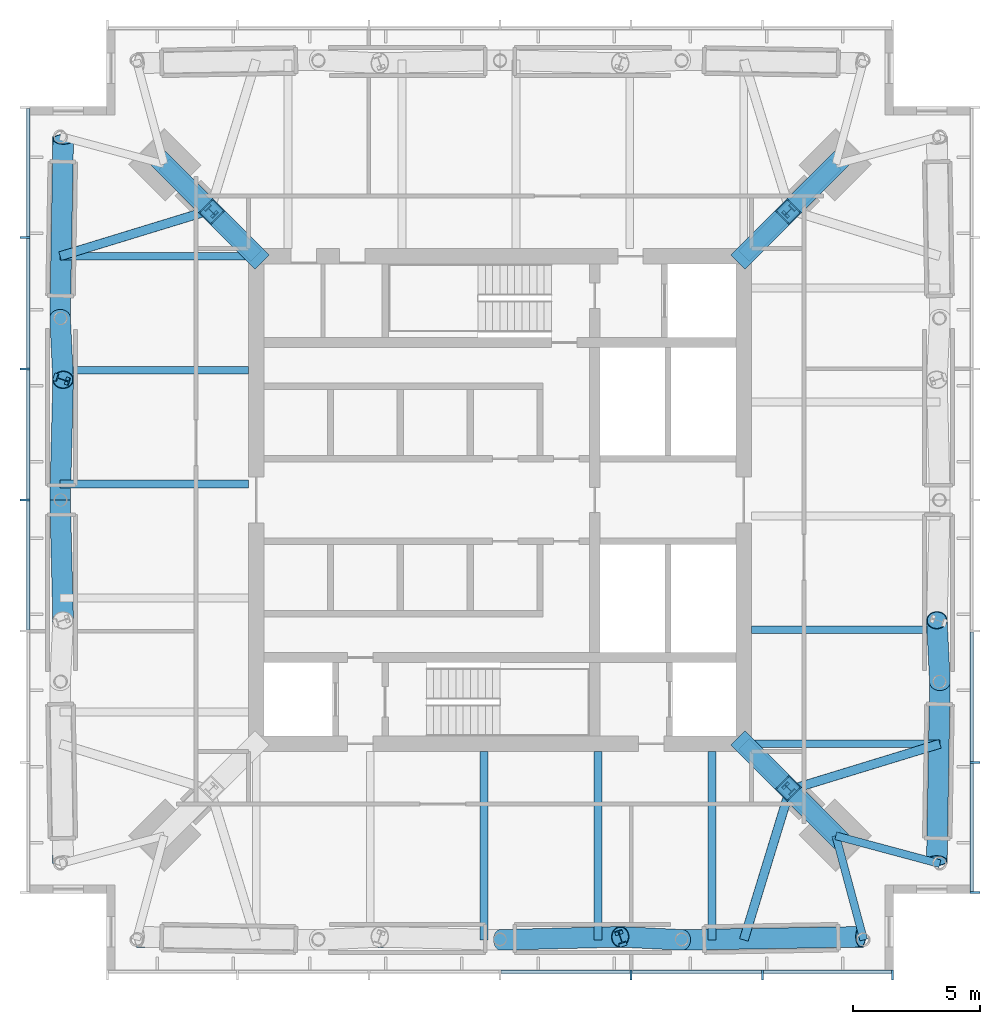
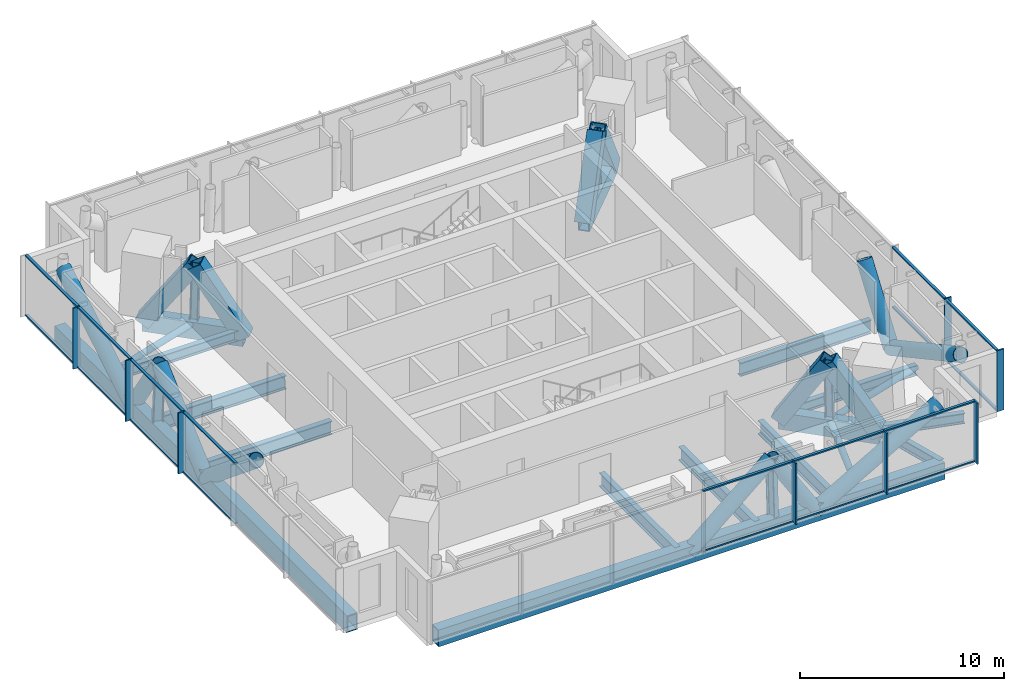
# One storey, part 2 of 8: 54 members, 10 beams, 3 elements without a shape of their own.
"""IFC4 building model written with IfcOpenShell, lengths in metres."""

from ifc_helpers import new_model, si_unit, direction, frame, origin, origin_2d, place, context, subcontext, project, spatial, rectangle, hollow_rectangle, hollow_circle, i_section, extrude, material, material_profile, profile_set, type_object, element, aggregate, save


model = new_model("IFC4")

# Units and contexts
model_context = context("Model", 3, precision=1e-05, world=origin(), true_north=direction((0.0, 1.0)))
body_context = subcontext(model_context, "Body", "Model", "MODEL_VIEW")
ifc_project = project(units=[si_unit("LENGTHUNIT", "METRE"), si_unit("AREAUNIT", "SQUARE_METRE"), si_unit("VOLUMEUNIT", "CUBIC_METRE"), si_unit("PLANEANGLEUNIT", "RADIAN"), si_unit("MASSUNIT", "GRAM", prefix="KILO")], contexts=[model_context])

# Site, building, storey
site_placement = place(None, origin())
site = spatial("IfcSite", under=ifc_project, at=site_placement, CompositionType="ELEMENT")
building_placement = place(site_placement, origin())
building = spatial("IfcBuilding", under=site, at=building_placement, Name="Ostroluk Exchange", CompositionType="ELEMENT")
storey_placement = place(building_placement, frame((0.0, 0.0, 230.0)))
storey = spatial("IfcBuildingStorey", under=building, at=storey_placement, Name="L59", CompositionType="ELEMENT", Elevation=230.0)

# Members
ifc_material_1 = material(Name="Steel S460", Category="steel")
ifc_material_profile_1 = material_profile(ifc_material_1, hollow_rectangle(XDim=0.60009765625, YDim=1.0, WallThickness=0.06005859375, at=origin_2d()), Name="BOX 600x1000x60")
ifc_profile_set_1 = profile_set([ifc_material_profile_1], Name="Steel S460")
member_type_1 = type_object("IfcMemberType", Name="Belt truss chord BOX 600x1000x60", PredefinedType="CHORD", material=ifc_profile_set_1)
for number, where, z_axis, x_axis, name in (
    (1, (27.678466796875, 60.321533203125, -0.780029296875), (0.0, -1.0, 0.0), (1.0, 0.0, 0.0), "Belt truss 3 west chord 2"),
    (2, (30.678466796875, 28.678466796875, -0.780029296875), (1.0, 0.0, 0.0), (0.0, 1.0, 0.0), "Belt truss 3 south chord 2"),
):
    element("IfcMember", number, at=place(storey_placement, frame(where, z_axis=z_axis, x_axis=x_axis)), inside=storey, type_object=member_type_1, Name=name, PredefinedType="CHORD", context=body_context, shape_type="SweptSolid", body=[
        extrude(hollow_rectangle(XDim=0.60009765625, YDim=1.0, WallThickness=0.06005859375, at=origin_2d()), origin(), (0.0, 0.0, 1.0), 28.64306640625),
    ])
ifc_material_2 = material(Name="Steel S460", Category="steel")
ifc_material_profile_2 = material_profile(ifc_material_2, hollow_circle(Radius=0.406494140625, WallThickness=0.030029296875, at=origin_2d()), Name="CHS 813x30")
ifc_profile_set_2 = profile_set([ifc_material_profile_2], Name="Steel S460")
member_type_2 = type_object("IfcMemberType", Name="Belt truss diagonal CHS 813x30", PredefinedType="BRACE", material=ifc_profile_set_2)
member_1_placement = place(storey_placement, frame((62.321533203125, 38.83935546875, -0.780029296875), z_axis=(-0.015124435681, -0.875668381529, 0.482676016635), x_axis=(0.999850874514, -0.017269300299, 0.0)))
element("IfcMember", 3, at=member_1_placement, inside=storey, type_object=member_type_2, Name="Belt truss 3 east diagonal 2.1", PredefinedType="BRACE", context=body_context, shape_type="SweptSolid", body=[
    extrude(hollow_circle(Radius=0.406494140625, WallThickness=0.030029296875, at=origin_2d()), origin(), (0.0, 0.0, 1.0), 8.038818359375),
])
member_2_placement = place(storey_placement, frame((62.321533203125, 38.83935546875, -0.780029296875), z_axis=(-0.026555607306, 0.530152304888, 0.84748647974), x_axis=(-0.998747825495, -0.050027802967, 0.0)))
element("IfcMember", 4, at=member_2_placement, inside=storey, type_object=member_type_2, Name="Belt truss 3 east diagonal 2.2", PredefinedType="BRACE", context=body_context, shape_type="SweptSolid", body=[
    extrude(hollow_circle(Radius=0.406494140625, WallThickness=0.030029296875, at=origin_2d()), origin(), (0.0, 0.0, 1.0), 4.578369140625),
])
member_3_placement = place(storey_placement, frame((27.678466796875, 53.16064453125, -0.780029296875), z_axis=(0.015124435681, 0.875668381529, 0.482676016635), x_axis=(-0.999850874514, 0.017269300299, 0.0)))
element("IfcMember", 5, at=member_3_placement, inside=storey, type_object=member_type_2, Name="Belt truss 3 west diagonal 2.1", PredefinedType="BRACE", context=body_context, shape_type="SweptSolid", body=[
    extrude(hollow_circle(Radius=0.406494140625, WallThickness=0.030029296875, at=origin_2d()), origin(), (0.0, 0.0, 1.0), 8.038818359375),
])
member_4_placement = place(storey_placement, frame((27.678466796875, 53.16064453125, -0.780029296875), z_axis=(0.026555607306, -0.530152304888, 0.84748647974), x_axis=(0.998747825495, 0.050027802967, 0.0)))
element("IfcMember", 6, at=member_4_placement, inside=storey, type_object=member_type_2, Name="Belt truss 3 west diagonal 2.2", PredefinedType="BRACE", context=body_context, shape_type="SweptSolid", body=[
    extrude(hollow_circle(Radius=0.406494140625, WallThickness=0.030029296875, at=origin_2d()), origin(), (0.0, 0.0, 1.0), 4.578369140625),
])
for number, where, z_axis, x_axis, name in (
    (7, (27.678466796875, 46.0, -0.780029296875), (0.01986082351, 0.773216157061, 0.633831461944), (-0.999670278071, 0.0256775221, 0.0), "Belt truss 3 west diagonal 2.3"),
    (8, (27.678466796875, 46.0, -0.780029296875), (0.01986082351, -0.773216157061, 0.633831461944), (0.999670278071, 0.0256775221, 0.0), "Belt truss 3 west diagonal 2.4"),
    (9, (45.0, 28.678466796875, -0.780029296875), (0.773216157061, 0.01986082351, 0.633831461944), (-0.0256775221, 0.999670278071, 0.0), "Belt truss 3 south diagonal 2.4"),
):
    element("IfcMember", number, at=place(storey_placement, frame(where, z_axis=z_axis, x_axis=x_axis)), inside=storey, type_object=member_type_2, Name=name, PredefinedType="BRACE", context=body_context, shape_type="SweptSolid", body=[
        extrude(hollow_circle(Radius=0.406494140625, WallThickness=0.030029296875, at=origin_2d()), origin(), (0.0, 0.0, 1.0), 6.12158203125),
    ])
member_5_placement = place(storey_placement, frame((52.16064453125, 28.678466796875, -0.780029296875), z_axis=(-0.530152304888, 0.026555607306, 0.84748647974), x_axis=(-0.050027802967, -0.998747825495, 0.0)))
element("IfcMember", 10, at=member_5_placement, inside=storey, type_object=member_type_2, Name="Belt truss 3 south diagonal 2.5", PredefinedType="BRACE", context=body_context, shape_type="SweptSolid", body=[
    extrude(hollow_circle(Radius=0.406494140625, WallThickness=0.030029296875, at=origin_2d()), origin(), (0.0, 0.0, 1.0), 4.578369140625),
])
member_6_placement = place(storey_placement, frame((52.16064453125, 28.678466796875, -0.780029296875), z_axis=(0.875668381529, 0.015124435681, 0.482676016635), x_axis=(-0.017269300299, 0.999850874514, 0.0)))
element("IfcMember", 11, at=member_6_placement, inside=storey, type_object=member_type_2, Name="Belt truss 3 south diagonal 2.6", PredefinedType="BRACE", context=body_context, shape_type="SweptSolid", body=[
    extrude(hollow_circle(Radius=0.406494140625, WallThickness=0.030029296875, at=origin_2d()), origin(), (0.0, 0.0, 1.0), 8.038818359375),
])
ifc_material_3 = material(Name="Steel S460", Category="steel")
ifc_material_profile_3 = material_profile(ifc_material_3, i_section(OverallWidth=0.305908203125, OverallDepth=0.52392578125, WebThickness=0.02099609375, FlangeThickness=0.0400390625, FilletRadius=0.027099609375, at=origin_2d()), Name="HEM 500")
ifc_profile_set_3 = profile_set([ifc_material_profile_3], Name="Steel S460")
member_type_3 = type_object("IfcMemberType", Name="Belt truss post HEM 500", PredefinedType="POST", material=ifc_profile_set_3)
for number, where, z_axis, x_axis, name in (
    (12, (27.678466796875, 50.77392578125, -0.780029296875), (0.031317471578, -0.010439157193, 0.999454971457), (0.316227766017, 0.948683298051, 0.0), "Belt truss 3 west post 2.2"),
    (13, (49.77392578125, 28.678466796875, -0.780029296875), (-0.010439157193, 0.031317471578, 0.999454971457), (-0.948683298051, -0.316227766017, 0.0), "Belt truss 3 south post 2.4"),
):
    element("IfcMember", number, at=place(storey_placement, frame(where, z_axis=z_axis, x_axis=x_axis)), inside=storey, type_object=member_type_3, Name=name, PredefinedType="POST", context=body_context, shape_type="SweptSolid", body=[
        extrude(i_section(OverallWidth=0.305908203125, OverallDepth=0.52392578125, WebThickness=0.02099609375, FlangeThickness=0.0400390625, FilletRadius=0.027099609375, at=origin_2d()), origin(), (0.0, 0.0, 1.0), 3.88232421875),
    ])

# Beams
ifc_material_4 = material(Name="Steel S460", Category="steel")
ifc_material_profile_4 = material_profile(ifc_material_4, i_section(OverallWidth=0.304931640625, OverallDepth=0.6201171875, WebThickness=0.02099609375, FlangeThickness=0.0400390625, FilletRadius=0.027099609375, at=origin_2d()), Name="HEM 600")
ifc_profile_set_4 = profile_set([ifc_material_profile_4], Name="Steel S460")
beam_type_1 = type_object("IfcBeamType", Name="Corner edge beam HEM 600", PredefinedType="SPANDREL", material=ifc_profile_set_4)
for number, where, z_axis, x_axis, name in (
    (14, (58.221435546875, 32.778564453125, -0.590087890625), (0.259144268261, -0.965838624319, 0.0), (0.965838624319, 0.259144268261, 0.0), "T1 south corner edge beam a"),
    (15, (58.221435546875, 32.778564453125, -0.590087890625), (0.965838624319, -0.259144268261, 0.0), (0.259144268261, 0.965838624319, 0.0), "T1 south corner edge beam b"),
):
    element("IfcBeam", number, at=place(storey_placement, frame(where, z_axis=z_axis, x_axis=x_axis)), inside=storey, type_object=beam_type_1, Name=name, PredefinedType="SPANDREL", context=body_context, shape_type="SweptSolid", body=[
        extrude(i_section(OverallWidth=0.304931640625, OverallDepth=0.6201171875, WebThickness=0.02099609375, FlangeThickness=0.0400390625, FilletRadius=0.027099609375, at=origin_2d()), origin(), (0.0, 0.0, 1.0), 4.2451171875),
    ])
ifc_material_5 = material(Name="Steel S355", Category="steel")
ifc_material_profile_5 = material_profile(ifc_material_5, i_section(OverallWidth=0.302978515625, OverallDepth=0.81396484375, WebThickness=0.02099609375, FlangeThickness=0.0400390625, FilletRadius=0.030029296875, at=origin_2d()), Name="HEM 800")
ifc_profile_set_5 = profile_set([ifc_material_profile_5], Name="Steel S355")
beam_type_2 = type_object("IfcBeamType", Name="Floor beam HEM 800", PredefinedType="BEAM", material=ifc_profile_set_5)
for number, where, z_axis, x_axis, name in (
    (16, (54.89990234375, 40.886962890625, -0.68701171875), (1.0, 0.0, 0.0), (0.0, 1.0, 0.0), "T1 east floor beam 1"),
    (17, (35.10009765625, 51.113037109375, -0.68701171875), (-1.0, 0.0, 0.0), (0.0, -1.0, 0.0), "T1 west floor beam 1"),
    (18, (35.10009765625, 46.626220703125, -0.68701171875), (-1.0, 0.0, 0.0), (0.0, -1.0, 0.0), "T1 west floor beam 2"),
    (19, (44.373779296875, 36.10009765625, -0.68701171875), (0.0, -1.0, 0.0), (1.0, 0.0, 0.0), "T1 south floor beam 2"),
    (20, (48.860595703125, 36.10009765625, -0.68701171875), (0.0, -1.0, 0.0), (1.0, 0.0, 0.0), "T1 south floor beam 3"),
    (21, (53.34765625, 36.10009765625, -0.68701171875), (0.0, -1.0, 0.0), (1.0, 0.0, 0.0), "T1 south floor beam 4"),
):
    element("IfcBeam", number, at=place(storey_placement, frame(where, z_axis=z_axis, x_axis=x_axis)), inside=storey, type_object=beam_type_2, Name=name, PredefinedType="BEAM", context=body_context, shape_type="SweptSolid", body=[
        extrude(i_section(OverallWidth=0.302978515625, OverallDepth=0.81396484375, WebThickness=0.02099609375, FlangeThickness=0.0400390625, FilletRadius=0.030029296875, at=origin_2d()), origin(), (0.0, 0.0, 1.0), 7.421630859375),
    ])
ifc_material_6 = material(Name="Steel S355", Category="steel")
ifc_material_profile_6 = material_profile(ifc_material_6, i_section(OverallWidth=0.300048828125, OverallDepth=0.60009765625, WebThickness=0.015380859375, FlangeThickness=0.030029296875, FilletRadius=0.027099609375, at=origin_2d()), Name="HEB 600")
ifc_profile_set_6 = profile_set([ifc_material_profile_6], Name="Steel S355")
beam_type_3 = type_object("IfcBeamType", Name="Girder HEB 600", PredefinedType="BEAM", material=ifc_profile_set_6)
for number, where, z_axis, x_axis, name in (
    (22, (35.10009765625, 55.60009765625, -0.580078125), (-1.0, 0.0, 0.0), (0.0, -1.0, 0.0), "T1 north girder"),
    (23, (54.89990234375, 36.39990234375, -0.580078125), (1.0, 0.0, 0.0), (0.0, 1.0, 0.0), "T1 south girder"),
):
    element("IfcBeam", number, at=place(storey_placement, frame(where, z_axis=z_axis, x_axis=x_axis)), inside=storey, type_object=beam_type_3, Name=name, PredefinedType="BEAM", context=body_context, shape_type="SweptSolid", body=[
        extrude(i_section(OverallWidth=0.300048828125, OverallDepth=0.60009765625, WebThickness=0.015380859375, FlangeThickness=0.030029296875, FilletRadius=0.027099609375, at=origin_2d()), origin(), (0.0, 0.0, 1.0), 7.421630859375),
    ])

# Members
ifc_material_7 = material(Name="Steel S460", Category="steel")
ifc_material_profile_7 = material_profile(ifc_material_7, hollow_rectangle(XDim=0.60009765625, YDim=1.0, WallThickness=0.06005859375, at=origin_2d()), Name="BOX 600x1000x60")
ifc_profile_set_7 = profile_set([ifc_material_profile_7], Name="Steel S460")
member_type_4 = type_object("IfcMemberType", Name="Outrigger chord BOX 600x1000x60", PredefinedType="CHORD", material=ifc_profile_set_7)
for number, where, z_axis, x_axis, name in (
    (24, (54.60009765625, 55.60009765625, -0.780029296875), (0.707106781187, 0.707106781187, 0.0), (-0.707106781187, 0.707106781187, 0.0), "Outrigger 3 NE chord 2"),
    (25, (35.39990234375, 55.60009765625, -0.780029296875), (-0.707106781187, 0.707106781187, 0.0), (-0.707106781187, -0.707106781187, 0.0), "Outrigger 3 NW chord 2"),
    (26, (54.60009765625, 36.39990234375, -0.780029296875), (0.707106781187, -0.707106781187, 0.0), (0.707106781187, 0.707106781187, 0.0), "Outrigger 3 SE chord 2"),
):
    element("IfcMember", number, at=place(storey_placement, frame(where, z_axis=z_axis, x_axis=x_axis)), inside=storey, type_object=member_type_4, Name=name, PredefinedType="CHORD", context=body_context, shape_type="SweptSolid", body=[
        extrude(hollow_rectangle(XDim=0.60009765625, YDim=1.0, WallThickness=0.06005859375, at=origin_2d()), origin(), (0.0, 0.0, 1.0), 5.121337890625),
    ])
ifc_material_8 = material(Name="Steel S460", Category="steel")
ifc_material_profile_8 = material_profile(ifc_material_8, hollow_rectangle(XDim=0.800048828125, YDim=0.800048828125, WallThickness=0.050048828125, at=origin_2d()), Name="BOX 800x800x50")
ifc_profile_set_8 = profile_set([ifc_material_profile_8], Name="Steel S460")
member_type_5 = type_object("IfcMemberType", Name="Outrigger diagonal BOX 800x800x50", PredefinedType="BRACE", material=ifc_profile_set_8)
member_7_placement = place(storey_placement, frame((54.60009765625, 55.60009765625, -0.780029296875), z_axis=(0.380251662815, 0.380251662815, 0.843099843348), x_axis=(-0.707106781187, 0.707106781187, 0.0)))
element("IfcMember", 27, at=member_7_placement, inside=storey, type_object=member_type_5, Name="Outrigger 3 NE diagonal 2a", PredefinedType="BRACE", context=body_context, shape_type="SweptSolid", body=[
    extrude(hollow_rectangle(XDim=0.800048828125, YDim=0.800048828125, WallThickness=0.050048828125, at=origin_2d()), origin(), (0.0, 0.0, 1.0), 4.602294921875),
])
member_8_placement = place(storey_placement, frame((56.35009765625, 57.35009765625, 3.10009765625), z_axis=(0.398434897527, 0.398434897527, -0.826135137169), x_axis=(-0.707106781187, 0.707106781187, 0.0)))
element("IfcMember", 28, at=member_8_placement, inside=storey, type_object=member_type_5, Name="Outrigger 3 NE diagonal 2b", PredefinedType="BRACE", context=body_context, shape_type="SweptSolid", body=[
    extrude(hollow_rectangle(XDim=0.800048828125, YDim=0.800048828125, WallThickness=0.050048828125, at=origin_2d()), origin(), (0.0, 0.0, 1.0), 4.69677734375),
])
member_9_placement = place(storey_placement, frame((35.39990234375, 55.60009765625, -0.780029296875), z_axis=(-0.380251662815, 0.380251662815, 0.843099843348), x_axis=(-0.707106781187, -0.707106781187, 0.0)))
element("IfcMember", 29, at=member_9_placement, inside=storey, type_object=member_type_5, Name="Outrigger 3 NW diagonal 2a", PredefinedType="BRACE", context=body_context, shape_type="SweptSolid", body=[
    extrude(hollow_rectangle(XDim=0.800048828125, YDim=0.800048828125, WallThickness=0.050048828125, at=origin_2d()), origin(), (0.0, 0.0, 1.0), 4.602294921875),
])
member_10_placement = place(storey_placement, frame((33.64990234375, 57.35009765625, 3.10009765625), z_axis=(-0.398434897527, 0.398434897527, -0.826135137169), x_axis=(-0.707106781187, -0.707106781187, 0.0)))
element("IfcMember", 30, at=member_10_placement, inside=storey, type_object=member_type_5, Name="Outrigger 3 NW diagonal 2b", PredefinedType="BRACE", context=body_context, shape_type="SweptSolid", body=[
    extrude(hollow_rectangle(XDim=0.800048828125, YDim=0.800048828125, WallThickness=0.050048828125, at=origin_2d()), origin(), (0.0, 0.0, 1.0), 4.69677734375),
])
member_11_placement = place(storey_placement, frame((54.60009765625, 36.39990234375, -0.780029296875), z_axis=(0.380251662815, -0.380251662815, 0.843099843348), x_axis=(0.707106781187, 0.707106781187, 0.0)))
element("IfcMember", 31, at=member_11_placement, inside=storey, type_object=member_type_5, Name="Outrigger 3 SE diagonal 2a", PredefinedType="BRACE", context=body_context, shape_type="SweptSolid", body=[
    extrude(hollow_rectangle(XDim=0.800048828125, YDim=0.800048828125, WallThickness=0.050048828125, at=origin_2d()), origin(), (0.0, 0.0, 1.0), 4.602294921875),
])
member_12_placement = place(storey_placement, frame((56.35009765625, 34.64990234375, 3.10009765625), z_axis=(0.398434897527, -0.398434897527, -0.826135137169), x_axis=(0.707106781187, 0.707106781187, 0.0)))
element("IfcMember", 32, at=member_12_placement, inside=storey, type_object=member_type_5, Name="Outrigger 3 SE diagonal 2b", PredefinedType="BRACE", context=body_context, shape_type="SweptSolid", body=[
    extrude(hollow_rectangle(XDim=0.800048828125, YDim=0.800048828125, WallThickness=0.050048828125, at=origin_2d()), origin(), (0.0, 0.0, 1.0), 4.69677734375),
])
ifc_material_9 = material(Name="Steel S460", Category="steel")
ifc_material_profile_9 = material_profile(ifc_material_9, i_section(OverallWidth=0.306884765625, OverallDepth=0.431884765625, WebThickness=0.02099609375, FlangeThickness=0.0400390625, FilletRadius=0.027099609375, at=origin_2d()), Name="HEM 400")
ifc_profile_set_9 = profile_set([ifc_material_profile_9], Name="Steel S460")
member_type_6 = type_object("IfcMemberType", Name="Outrigger post HEM 400", PredefinedType="POST", material=ifc_profile_set_9)
for number, where, z_axis, x_axis, name in (
    (33, (56.41064453125, 57.41064453125, -0.780029296875), (-0.01560055591, -0.01560055591, 0.999756593032), (0.707106781187, -0.707106781187, 0.0), "Outrigger 3 NE post 2"),
    (34, (33.58935546875, 57.41064453125, -0.780029296875), (0.01560055591, -0.01560055591, 0.999756593032), (0.707106781187, 0.707106781187, 0.0), "Outrigger 3 NW post 2"),
    (35, (56.41064453125, 34.58935546875, -0.780029296875), (-0.01560055591, 0.01560055591, 0.999756593032), (-0.707106781187, -0.707106781187, 0.0), "Outrigger 3 SE post 2"),
):
    element("IfcMember", number, at=place(storey_placement, frame(where, z_axis=z_axis, x_axis=x_axis)), inside=storey, type_object=member_type_6, Name=name, PredefinedType="POST", context=body_context, shape_type="SweptSolid", body=[
        extrude(i_section(OverallWidth=0.306884765625, OverallDepth=0.431884765625, WebThickness=0.02099609375, FlangeThickness=0.0400390625, FilletRadius=0.027099609375, at=origin_2d()), origin(), (0.0, 0.0, 1.0), 3.881103515625),
    ])
ifc_material_10 = material(Name="Steel S460", Category="steel")
ifc_material_profile_10 = material_profile(ifc_material_10, hollow_circle(Radius=0.177734375, WallThickness=0.012451171875, at=origin_2d()), Name="CHS 355.6x12.5")
ifc_profile_set_10 = profile_set([ifc_material_profile_10], Name="Steel S460")
member_type_7 = type_object("IfcMemberType", Name="Plan bracing CHS 355.6x12.5", PredefinedType="BRACE", material=ifc_profile_set_10)
for number, where, z_axis, x_axis, name in (
    (36, (33.58935546875, 57.41064453125, -0.457763671875), (-0.956150538789, -0.292875651384, 0.0), (0.292875651384, -0.956150538789, 0.0), "Plan bracing L59 NW b"),
    (37, (56.41064453125, 34.58935546875, -0.457763671875), (-0.292875651384, -0.956150538789, 0.0), (0.956150538789, -0.292875651384, 0.0), "Plan bracing L59 SE a"),
    (38, (56.41064453125, 34.58935546875, -0.457763671875), (0.956150538789, 0.292875651384, 0.0), (-0.292875651384, 0.956150538789, 0.0), "Plan bracing L59 SE b"),
):
    element("IfcMember", number, at=place(storey_placement, frame(where, z_axis=z_axis, x_axis=x_axis)), inside=storey, type_object=member_type_7, Name=name, PredefinedType="BRACE", context=body_context, shape_type="SweptSolid", body=[
        extrude(hollow_circle(Radius=0.177734375, WallThickness=0.012451171875, at=origin_2d()), origin(), (0.0, 0.0, 1.0), 6.181884765625),
    ])

# Curtain wall, members
ifc_material_11 = material(Name="Laminated clear glass", Category="glass")
curtain_wall_type = type_object("IfcCurtainWallType", Name="Office tower plant and sky lobby facade", PredefinedType="USERDEFINED", material=ifc_material_11)
curtain_wall_1_placement = place(storey_placement, origin())
curtain_wall_1 = element("IfcCurtainWall", 39, at=curtain_wall_1_placement, inside=storey, type_object=curtain_wall_type, Name="Office tower south facade L59", ObjectType="LOUVRED CURTAIN WALL", PredefinedType="USERDEFINED")
ifc_material_12 = material(Name="Aluminium mullion", Category="aluminium")
ifc_material_profile_11 = material_profile(ifc_material_12, rectangle(XDim=0.14990234375, YDim=0.080078125, at=origin_2d()), Name="Sill transom 80 x 150")
ifc_profile_set_11 = profile_set([ifc_material_profile_11], Name="Aluminium mullion")
member_type_8 = type_object("IfcMemberType", Name="Sill transom 80 x 150", PredefinedType="USERDEFINED", material=ifc_profile_set_11)
member_13_placement = place(storey_placement, frame((45.0400390625, 27.425048828125, 0.0400390625), z_axis=(1.0, 0.0, 0.0), x_axis=(0.0, 1.0, 0.0)))
member_13 = element("IfcMember", 40, at=member_13_placement, type_object=member_type_8, Name="CW-P1 transom 4.1", ObjectType="TRANSOM", PredefinedType="USERDEFINED", context=body_context, shape_type="SweptSolid", body=[
    extrude(rectangle(XDim=0.14990234375, YDim=0.080078125, at=origin_2d()), origin(), (0.0, 0.0, 1.0), 5.086669921875),
])
member_14_placement = place(storey_placement, frame((45.0400390625, 27.425048828125, 3.610107421875), z_axis=(1.0, 0.0, 0.0), x_axis=(0.0, 1.0, 0.0)))
member_14 = element("IfcMember", 41, at=member_14_placement, type_object=member_type_8, Name="CW-P1 transom 4.2", ObjectType="TRANSOM", PredefinedType="USERDEFINED", context=body_context, shape_type="SweptSolid", body=[
    extrude(rectangle(XDim=0.14990234375, YDim=0.080078125, at=origin_2d()), origin(), (0.0, 0.0, 1.0), 5.086669921875),
])
member_15_placement = place(storey_placement, frame((50.206787109375, 27.425048828125, 0.0400390625), z_axis=(1.0, 0.0, 0.0), x_axis=(0.0, 1.0, 0.0)))
member_15 = element("IfcMember", 42, at=member_15_placement, type_object=member_type_8, Name="CW-P1 transom 5.1", ObjectType="TRANSOM", PredefinedType="USERDEFINED", context=body_context, shape_type="SweptSolid", body=[
    extrude(rectangle(XDim=0.14990234375, YDim=0.080078125, at=origin_2d()), origin(), (0.0, 0.0, 1.0), 5.08642578125),
])
member_16_placement = place(storey_placement, frame((50.206787109375, 27.425048828125, 3.610107421875), z_axis=(1.0, 0.0, 0.0), x_axis=(0.0, 1.0, 0.0)))
member_16 = element("IfcMember", 43, at=member_16_placement, type_object=member_type_8, Name="CW-P1 transom 5.2", ObjectType="TRANSOM", PredefinedType="USERDEFINED", context=body_context, shape_type="SweptSolid", body=[
    extrude(rectangle(XDim=0.14990234375, YDim=0.080078125, at=origin_2d()), origin(), (0.0, 0.0, 1.0), 5.08642578125),
])
member_17_placement = place(storey_placement, frame((55.373291015625, 27.425048828125, 0.0400390625), z_axis=(1.0, 0.0, 0.0), x_axis=(0.0, 1.0, 0.0)))
member_17 = element("IfcMember", 44, at=member_17_placement, type_object=member_type_8, Name="CW-P1 transom 6.1", ObjectType="TRANSOM", PredefinedType="USERDEFINED", context=body_context, shape_type="SweptSolid", body=[
    extrude(rectangle(XDim=0.14990234375, YDim=0.080078125, at=origin_2d()), origin(), (0.0, 0.0, 1.0), 5.046630859375),
])
member_18_placement = place(storey_placement, frame((55.373291015625, 27.425048828125, 3.610107421875), z_axis=(1.0, 0.0, 0.0), x_axis=(0.0, 1.0, 0.0)))
member_18 = element("IfcMember", 45, at=member_18_placement, type_object=member_type_8, Name="CW-P1 transom 6.2", ObjectType="TRANSOM", PredefinedType="USERDEFINED", context=body_context, shape_type="SweptSolid", body=[
    extrude(rectangle(XDim=0.14990234375, YDim=0.080078125, at=origin_2d()), origin(), (0.0, 0.0, 1.0), 5.046630859375),
])

curtain_wall_2_placement = place(storey_placement, origin())
curtain_wall_2 = element("IfcCurtainWall", 46, at=curtain_wall_2_placement, inside=storey, type_object=curtain_wall_type, Name="Office tower east facade L59", ObjectType="LOUVRED CURTAIN WALL", PredefinedType="USERDEFINED")
member_19_placement = place(storey_placement, frame((63.574951171875, 30.580078125, 0.0400390625), z_axis=(0.0, 1.0, 0.0), x_axis=(-1.0, 0.0, 0.0)))
member_19 = element("IfcMember", 47, at=member_19_placement, type_object=member_type_8, Name="CW-P1 transom 1.1", ObjectType="TRANSOM", PredefinedType="USERDEFINED", context=body_context, shape_type="SweptSolid", body=[
    extrude(rectangle(XDim=0.14990234375, YDim=0.080078125, at=origin_2d()), origin(), (0.0, 0.0, 1.0), 5.046630859375),
])
member_20_placement = place(storey_placement, frame((63.574951171875, 30.580078125, 3.610107421875), z_axis=(0.0, 1.0, 0.0), x_axis=(-1.0, 0.0, 0.0)))
member_20 = element("IfcMember", 48, at=member_20_placement, type_object=member_type_8, Name="CW-P1 transom 1.2", ObjectType="TRANSOM", PredefinedType="USERDEFINED", context=body_context, shape_type="SweptSolid", body=[
    extrude(rectangle(XDim=0.14990234375, YDim=0.080078125, at=origin_2d()), origin(), (0.0, 0.0, 1.0), 5.046630859375),
])
member_21_placement = place(storey_placement, frame((63.574951171875, 35.706787109375, 0.0400390625), z_axis=(0.0, 1.0, 0.0), x_axis=(-1.0, 0.0, 0.0)))
member_21 = element("IfcMember", 49, at=member_21_placement, type_object=member_type_8, Name="CW-P1 transom 2.1", ObjectType="TRANSOM", PredefinedType="USERDEFINED", context=body_context, shape_type="SweptSolid", body=[
    extrude(rectangle(XDim=0.14990234375, YDim=0.080078125, at=origin_2d()), origin(), (0.0, 0.0, 1.0), 5.08642578125),
])
member_22_placement = place(storey_placement, frame((63.574951171875, 35.706787109375, 3.610107421875), z_axis=(0.0, 1.0, 0.0), x_axis=(-1.0, 0.0, 0.0)))
member_22 = element("IfcMember", 50, at=member_22_placement, type_object=member_type_8, Name="CW-P1 transom 2.2", ObjectType="TRANSOM", PredefinedType="USERDEFINED", context=body_context, shape_type="SweptSolid", body=[
    extrude(rectangle(XDim=0.14990234375, YDim=0.080078125, at=origin_2d()), origin(), (0.0, 0.0, 1.0), 5.08642578125),
])

curtain_wall_3_placement = place(storey_placement, origin())
curtain_wall_3 = element("IfcCurtainWall", 51, at=curtain_wall_3_placement, inside=storey, type_object=curtain_wall_type, Name="Office tower west facade L59", ObjectType="LOUVRED CURTAIN WALL", PredefinedType="USERDEFINED")
member_23_placement = place(storey_placement, frame((26.425048828125, 61.419921875, 0.0400390625), z_axis=(0.0, -1.0, 0.0), x_axis=(1.0, 0.0, 0.0)))
member_23 = element("IfcMember", 52, at=member_23_placement, type_object=member_type_8, Name="CW-P1 transom 1.1", ObjectType="TRANSOM", PredefinedType="USERDEFINED", context=body_context, shape_type="SweptSolid", body=[
    extrude(rectangle(XDim=0.14990234375, YDim=0.080078125, at=origin_2d()), origin(), (0.0, 0.0, 1.0), 5.046630859375),
])
member_24_placement = place(storey_placement, frame((26.425048828125, 61.419921875, 3.610107421875), z_axis=(0.0, -1.0, 0.0), x_axis=(1.0, 0.0, 0.0)))
member_24 = element("IfcMember", 53, at=member_24_placement, type_object=member_type_8, Name="CW-P1 transom 1.2", ObjectType="TRANSOM", PredefinedType="USERDEFINED", context=body_context, shape_type="SweptSolid", body=[
    extrude(rectangle(XDim=0.14990234375, YDim=0.080078125, at=origin_2d()), origin(), (0.0, 0.0, 1.0), 5.046630859375),
])
member_25_placement = place(storey_placement, frame((26.425048828125, 56.293212890625, 0.0400390625), z_axis=(0.0, -1.0, 0.0), x_axis=(1.0, 0.0, 0.0)))
member_25 = element("IfcMember", 54, at=member_25_placement, type_object=member_type_8, Name="CW-P1 transom 2.1", ObjectType="TRANSOM", PredefinedType="USERDEFINED", context=body_context, shape_type="SweptSolid", body=[
    extrude(rectangle(XDim=0.14990234375, YDim=0.080078125, at=origin_2d()), origin(), (0.0, 0.0, 1.0), 5.08642578125),
])
member_26_placement = place(storey_placement, frame((26.425048828125, 56.293212890625, 3.610107421875), z_axis=(0.0, -1.0, 0.0), x_axis=(1.0, 0.0, 0.0)))
member_26 = element("IfcMember", 55, at=member_26_placement, type_object=member_type_8, Name="CW-P1 transom 2.2", ObjectType="TRANSOM", PredefinedType="USERDEFINED", context=body_context, shape_type="SweptSolid", body=[
    extrude(rectangle(XDim=0.14990234375, YDim=0.080078125, at=origin_2d()), origin(), (0.0, 0.0, 1.0), 5.08642578125),
])
member_27_placement = place(storey_placement, frame((26.425048828125, 51.126708984375, 0.0400390625), z_axis=(0.0, -1.0, 0.0), x_axis=(1.0, 0.0, 0.0)))
member_27 = element("IfcMember", 56, at=member_27_placement, type_object=member_type_8, Name="CW-P1 transom 3.1", ObjectType="TRANSOM", PredefinedType="USERDEFINED", context=body_context, shape_type="SweptSolid", body=[
    extrude(rectangle(XDim=0.14990234375, YDim=0.080078125, at=origin_2d()), origin(), (0.0, 0.0, 1.0), 5.086669921875),
])
member_28_placement = place(storey_placement, frame((26.425048828125, 51.126708984375, 3.610107421875), z_axis=(0.0, -1.0, 0.0), x_axis=(1.0, 0.0, 0.0)))
member_28 = element("IfcMember", 57, at=member_28_placement, type_object=member_type_8, Name="CW-P1 transom 3.2", ObjectType="TRANSOM", PredefinedType="USERDEFINED", context=body_context, shape_type="SweptSolid", body=[
    extrude(rectangle(XDim=0.14990234375, YDim=0.080078125, at=origin_2d()), origin(), (0.0, 0.0, 1.0), 5.086669921875),
])
member_29_placement = place(storey_placement, frame((26.425048828125, 45.9599609375, 0.0400390625), z_axis=(0.0, -1.0, 0.0), x_axis=(1.0, 0.0, 0.0)))
member_29 = element("IfcMember", 58, at=member_29_placement, type_object=member_type_8, Name="CW-P1 transom 4.1", ObjectType="TRANSOM", PredefinedType="USERDEFINED", context=body_context, shape_type="SweptSolid", body=[
    extrude(rectangle(XDim=0.14990234375, YDim=0.080078125, at=origin_2d()), origin(), (0.0, 0.0, 1.0), 5.086669921875),
])
member_30_placement = place(storey_placement, frame((26.425048828125, 45.9599609375, 3.610107421875), z_axis=(0.0, -1.0, 0.0), x_axis=(1.0, 0.0, 0.0)))
member_30 = element("IfcMember", 59, at=member_30_placement, type_object=member_type_8, Name="CW-P1 transom 4.2", ObjectType="TRANSOM", PredefinedType="USERDEFINED", context=body_context, shape_type="SweptSolid", body=[
    extrude(rectangle(XDim=0.14990234375, YDim=0.080078125, at=origin_2d()), origin(), (0.0, 0.0, 1.0), 5.086669921875),
])

# Member
ifc_material_13 = material(Name="Aluminium mullion with limestone facing", Category="masonry")
ifc_material_profile_12 = material_profile(ifc_material_13, rectangle(XDim=0.39990234375, YDim=0.080078125, at=origin_2d()), Name="Tracery mullion 80 x 400")
ifc_profile_set_12 = profile_set([ifc_material_profile_12], Name="Aluminium mullion with limestone facing")
member_type_9 = type_object("IfcMemberType", Name="Tracery mullion 80 x 400", PredefinedType="MULLION", material=ifc_profile_set_12)
member_31_placement = place(storey_placement, frame((50.166748046875, 27.300048828125, 0.0), z_axis=(0.0, 0.0, 1.0), x_axis=(0.0, 1.0, 0.0)))
member_31 = element("IfcMember", 60, at=member_31_placement, type_object=member_type_9, Name="CW-P1 mullion 5", PredefinedType="MULLION", context=body_context, shape_type="SweptSolid", body=[
    extrude(rectangle(XDim=0.39990234375, YDim=0.080078125, at=origin_2d()), origin(), (0.0, 0.0, 1.0), 3.64990234375),
])

member_32_placement = place(storey_placement, frame((55.333251953125, 27.300048828125, 0.0), z_axis=(0.0, 0.0, 1.0), x_axis=(0.0, 1.0, 0.0)))
member_32 = element("IfcMember", 61, at=member_32_placement, type_object=member_type_9, Name="CW-P1 mullion 6", PredefinedType="MULLION", context=body_context, shape_type="SweptSolid", body=[
    extrude(rectangle(XDim=0.39990234375, YDim=0.080078125, at=origin_2d()), origin(), (0.0, 0.0, 1.0), 3.64990234375),
])

member_33_placement = place(storey_placement, frame((60.4599609375, 27.300048828125, 0.0), z_axis=(0.0, 0.0, 1.0), x_axis=(0.0, 1.0, 0.0)))
member_33 = element("IfcMember", 62, at=member_33_placement, type_object=member_type_9, Name="CW-P1 mullion 7", PredefinedType="MULLION", context=body_context, shape_type="SweptSolid", body=[
    extrude(rectangle(XDim=0.39990234375, YDim=0.080078125, at=origin_2d()), origin(), (0.0, 0.0, 1.0), 3.64990234375),
])

aggregate(curtain_wall_1, [member_31, member_32, member_33, member_13, member_14, member_15, member_16, member_17, member_18])

member_34_placement = place(storey_placement, frame((63.699951171875, 30.5400390625, 0.0), z_axis=(0.0, 0.0, 1.0), x_axis=(-1.0, 0.0, 0.0)))
member_34 = element("IfcMember", 63, at=member_34_placement, type_object=member_type_9, Name="CW-P1 mullion 1", PredefinedType="MULLION", context=body_context, shape_type="SweptSolid", body=[
    extrude(rectangle(XDim=0.39990234375, YDim=0.080078125, at=origin_2d()), origin(), (0.0, 0.0, 1.0), 3.64990234375),
])

member_35_placement = place(storey_placement, frame((63.699951171875, 35.666748046875, 0.0), z_axis=(0.0, 0.0, 1.0), x_axis=(-1.0, 0.0, 0.0)))
member_35 = element("IfcMember", 64, at=member_35_placement, type_object=member_type_9, Name="CW-P1 mullion 2", PredefinedType="MULLION", context=body_context, shape_type="SweptSolid", body=[
    extrude(rectangle(XDim=0.39990234375, YDim=0.080078125, at=origin_2d()), origin(), (0.0, 0.0, 1.0), 3.64990234375),
])

aggregate(curtain_wall_2, [member_34, member_35, member_19, member_20, member_21, member_22])

member_36_placement = place(storey_placement, frame((26.300048828125, 56.333251953125, 0.0), z_axis=(0.0, 0.0, 1.0), x_axis=(1.0, 0.0, 0.0)))
member_36 = element("IfcMember", 65, at=member_36_placement, type_object=member_type_9, Name="CW-P1 mullion 2", PredefinedType="MULLION", context=body_context, shape_type="SweptSolid", body=[
    extrude(rectangle(XDim=0.39990234375, YDim=0.080078125, at=origin_2d()), origin(), (0.0, 0.0, 1.0), 3.64990234375),
])

member_37_placement = place(storey_placement, frame((26.300048828125, 51.166748046875, 0.0), z_axis=(0.0, 0.0, 1.0), x_axis=(1.0, 0.0, 0.0)))
member_37 = element("IfcMember", 66, at=member_37_placement, type_object=member_type_9, Name="CW-P1 mullion 3", PredefinedType="MULLION", context=body_context, shape_type="SweptSolid", body=[
    extrude(rectangle(XDim=0.39990234375, YDim=0.080078125, at=origin_2d()), origin(), (0.0, 0.0, 1.0), 3.64990234375),
])

member_38_placement = place(storey_placement, frame((26.300048828125, 46.0, 0.0), z_axis=(0.0, 0.0, 1.0), x_axis=(1.0, 0.0, 0.0)))
member_38 = element("IfcMember", 67, at=member_38_placement, type_object=member_type_9, Name="CW-P1 mullion 4", PredefinedType="MULLION", context=body_context, shape_type="SweptSolid", body=[
    extrude(rectangle(XDim=0.39990234375, YDim=0.080078125, at=origin_2d()), origin(), (0.0, 0.0, 1.0), 3.64990234375),
])

aggregate(curtain_wall_3, [member_36, member_37, member_38, member_23, member_24, member_25, member_26, member_27, member_28, member_29, member_30])

save(model, "model.ifc")
